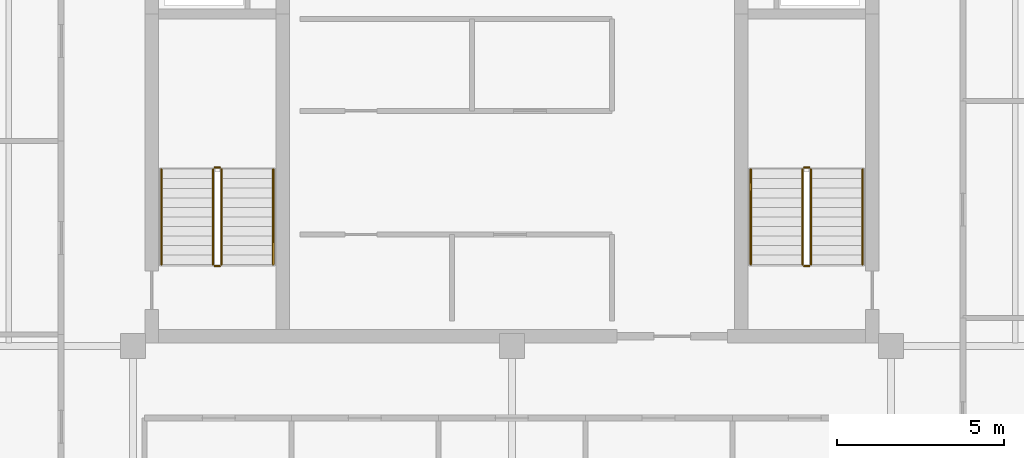
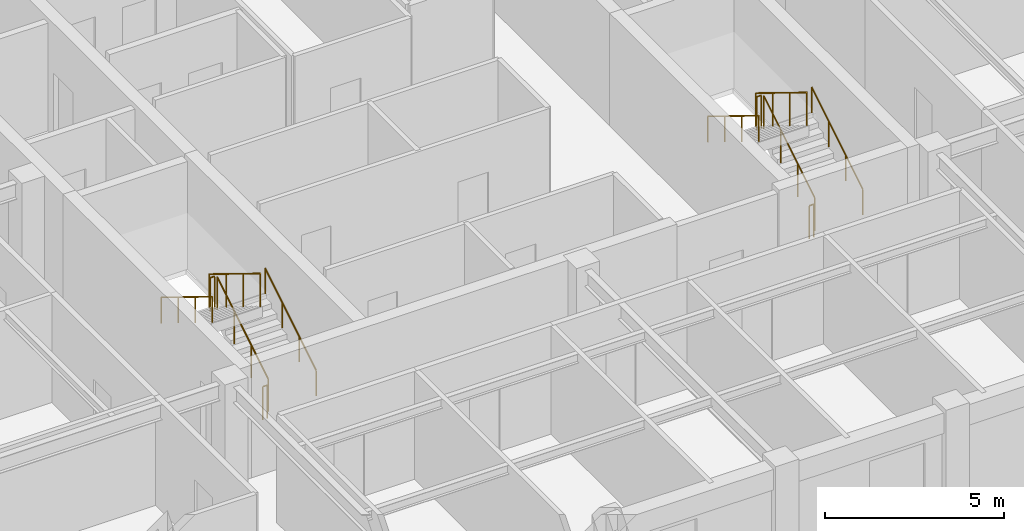
# One storey, part 7 of 7: 12 railings.
"""IFC4 building model written with IfcOpenShell, lengths in metres."""

from ifc_helpers import new_model, si_unit, direction, frame, origin, origin_2d, place, context, subcontext, project, spatial, circle, extrude, material, type_object, element, save


model = new_model("IFC4")

# Units and contexts
model_context = context("Model", 3, precision=1e-05, world=origin(), true_north=direction((0.0, 1.0)))
body_context = subcontext(model_context, "Body", "Model", "MODEL_VIEW")
ifc_project = project(units=[si_unit("LENGTHUNIT", "METRE"), si_unit("AREAUNIT", "SQUARE_METRE"), si_unit("VOLUMEUNIT", "CUBIC_METRE"), si_unit("PLANEANGLEUNIT", "RADIAN"), si_unit("MASSUNIT", "GRAM", prefix="KILO")], contexts=[model_context])

# Site, building, storey
site_placement = place(None, origin())
site = spatial("IfcSite", under=ifc_project, at=site_placement, CompositionType="ELEMENT")
building_placement = place(site_placement, origin())
building = spatial("IfcBuilding", under=site, at=building_placement, Name="Nhamokura Convention Tower", CompositionType="ELEMENT")
storey_placement = place(building_placement, frame((0.0, 0.0, 285.25)))
storey = spatial("IfcBuildingStorey", under=building, at=storey_placement, Name="L70", CompositionType="ELEMENT", Elevation=285.25)

# Railings
ifc_material_1 = material(Name="Anodised bronze stainless steel", Category="steel")
railing_type_1 = type_object("IfcRailingType", Name="StairWallHandrail_900", PredefinedType="HANDRAIL", material=ifc_material_1)
railing_1_placement = place(storey_placement, frame((24.85009765625, 23.10009765625, 0.175048828125)))
element("IfcRailing", 1, at=railing_1_placement, inside=storey, type_object=railing_type_1, Name="L70 ST-01 stair handrail 1", PredefinedType="HANDRAIL", context=body_context, shape_type="SweptSolid", body=[
    extrude(circle(Radius=0.02392578125, at=origin_2d()), frame((0.0, 0.0, 0.8759765625), z_axis=(0.0, 0.852159232446, 0.523282564737), x_axis=(-1.0, 0.0, 0.0)), (0.0, 0.0, 1.0), 3.34423828125),
    extrude(circle(Radius=0.02099609375, at=origin_2d()), origin(), (0.0, 0.0, 1.0), 0.851806640625),
    extrude(circle(Radius=0.02099609375, at=origin_2d()), frame((0.0, 0.949951171875, 0.583251953125)), (0.0, 0.0, 1.0), 0.851806640625),
    extrude(circle(Radius=0.02099609375, at=origin_2d()), frame((0.0, 1.89990234375, 1.166748046875)), (0.0, 0.0, 1.0), 0.851806640625),
    extrude(circle(Radius=0.02099609375, at=origin_2d()), frame((0.0, 2.849853515625, 1.75)), (0.0, 0.0, 1.0), 0.851806640625),
])
railing_2_placement = place(storey_placement, frame((21.5, 25.949951171875, 2.10009765625)))
element("IfcRailing", 2, at=railing_2_placement, inside=storey, type_object=railing_type_1, Name="L70 ST-01 stair handrail 2", PredefinedType="HANDRAIL", context=body_context, shape_type="SweptSolid", body=[
    extrude(circle(Radius=0.02392578125, at=origin_2d()), frame((0.0, 0.0, 0.8759765625), z_axis=(0.0, -0.852159232446, 0.523282564737), x_axis=(1.0, 0.0, 0.0)), (0.0, 0.0, 1.0), 3.34423828125),
    extrude(circle(Radius=0.02099609375, at=origin_2d()), origin(), (0.0, 0.0, 1.0), 0.851806640625),
    extrude(circle(Radius=0.02099609375, at=origin_2d()), frame((0.0, -0.949951171875, 0.583251953125)), (0.0, 0.0, 1.0), 0.851806640625),
    extrude(circle(Radius=0.02099609375, at=origin_2d()), frame((0.0, -1.89990234375, 1.166748046875)), (0.0, 0.0, 1.0), 0.851806640625),
    extrude(circle(Radius=0.02099609375, at=origin_2d()), frame((0.0, -2.849853515625, 1.75)), (0.0, 0.0, 1.0), 0.851806640625),
])
railing_3_placement = place(storey_placement, frame((42.5, 23.10009765625, 0.175048828125)))
element("IfcRailing", 3, at=railing_3_placement, inside=storey, type_object=railing_type_1, Name="L70 ST-02 stair handrail 1", PredefinedType="HANDRAIL", context=body_context, shape_type="SweptSolid", body=[
    extrude(circle(Radius=0.02392578125, at=origin_2d()), frame((0.0, 0.0, 0.8759765625), z_axis=(0.0, 0.852159232446, 0.523282564737), x_axis=(-1.0, 0.0, 0.0)), (0.0, 0.0, 1.0), 3.34423828125),
    extrude(circle(Radius=0.02099609375, at=origin_2d()), origin(), (0.0, 0.0, 1.0), 0.851806640625),
    extrude(circle(Radius=0.02099609375, at=origin_2d()), frame((0.0, 0.949951171875, 0.583251953125)), (0.0, 0.0, 1.0), 0.851806640625),
    extrude(circle(Radius=0.02099609375, at=origin_2d()), frame((0.0, 1.89990234375, 1.166748046875)), (0.0, 0.0, 1.0), 0.851806640625),
    extrude(circle(Radius=0.02099609375, at=origin_2d()), frame((0.0, 2.849853515625, 1.75)), (0.0, 0.0, 1.0), 0.851806640625),
])
railing_4_placement = place(storey_placement, frame((39.14990234375, 25.949951171875, 2.10009765625)))
element("IfcRailing", 4, at=railing_4_placement, inside=storey, type_object=railing_type_1, Name="L70 ST-02 stair handrail 2", PredefinedType="HANDRAIL", context=body_context, shape_type="SweptSolid", body=[
    extrude(circle(Radius=0.02392578125, at=origin_2d()), frame((0.0, 0.0, 0.8759765625), z_axis=(0.0, -0.852159232446, 0.523282564737), x_axis=(1.0, 0.0, 0.0)), (0.0, 0.0, 1.0), 3.34423828125),
    extrude(circle(Radius=0.02099609375, at=origin_2d()), origin(), (0.0, 0.0, 1.0), 0.851806640625),
    extrude(circle(Radius=0.02099609375, at=origin_2d()), frame((0.0, -0.949951171875, 0.583251953125)), (0.0, 0.0, 1.0), 0.851806640625),
    extrude(circle(Radius=0.02099609375, at=origin_2d()), frame((0.0, -1.89990234375, 1.166748046875)), (0.0, 0.0, 1.0), 0.851806640625),
    extrude(circle(Radius=0.02099609375, at=origin_2d()), frame((0.0, -2.849853515625, 1.75)), (0.0, 0.0, 1.0), 0.851806640625),
])
ifc_material_2 = material(Name="Painted tubular steel", Category="steel")
railing_type_2 = type_object("IfcRailingType", Name="StairWellGuardrail_1150", PredefinedType="GUARDRAIL", material=ifc_material_2)
railing_5_placement = place(storey_placement, frame((23.300048828125, 23.10009765625, 0.175048828125)))
element("IfcRailing", 5, at=railing_5_placement, inside=storey, type_object=railing_type_2, Name="L70 ST-01 stair guard 1", PredefinedType="GUARDRAIL", context=body_context, shape_type="SweptSolid", body=[
    extrude(circle(Radius=0.02392578125, at=origin_2d()), frame((0.0, 0.0, 1.1259765625), z_axis=(0.0, 0.852159232446, 0.523282564737), x_axis=(-1.0, 0.0, 0.0)), (0.0, 0.0, 1.0), 3.34423828125),
    extrude(circle(Radius=0.02099609375, at=origin_2d()), origin(), (0.0, 0.0, 1.0), 1.101806640625),
    extrude(circle(Radius=0.02099609375, at=origin_2d()), frame((0.0, 0.949951171875, 0.583251953125)), (0.0, 0.0, 1.0), 1.101806640625),
    extrude(circle(Radius=0.02099609375, at=origin_2d()), frame((0.0, 1.89990234375, 1.166748046875)), (0.0, 0.0, 1.0), 1.101806640625),
    extrude(circle(Radius=0.02099609375, at=origin_2d()), frame((0.0, 2.849853515625, 1.75)), (0.0, 0.0, 1.0), 1.101806640625),
])
railing_6_placement = place(storey_placement, frame((23.25, 26.0, 1.925048828125)))
element("IfcRailing", 6, at=railing_6_placement, inside=storey, type_object=railing_type_2, Name="L70 ST-01 stair guard 2", PredefinedType="GUARDRAIL", context=body_context, shape_type="SweptSolid", body=[
    extrude(circle(Radius=0.02392578125, at=origin_2d()), frame((0.0, 0.0, 1.1259765625), z_axis=(-1.0, 0.0, 0.0), x_axis=(0.0, -1.0, 0.0)), (0.0, 0.0, 1.0), 0.14990234375),
    extrude(circle(Radius=0.02099609375, at=origin_2d()), origin(), (0.0, 0.0, 1.0), 1.101806640625),
    extrude(circle(Radius=0.02099609375, at=origin_2d()), frame((-0.14990234375, 0.0, 0.0)), (0.0, 0.0, 1.0), 1.101806640625),
])
railing_7_placement = place(storey_placement, frame((23.050048828125, 25.949951171875, 2.10009765625)))
element("IfcRailing", 7, at=railing_7_placement, inside=storey, type_object=railing_type_2, Name="L70 ST-01 stair guard 3", PredefinedType="GUARDRAIL", context=body_context, shape_type="SweptSolid", body=[
    extrude(circle(Radius=0.02392578125, at=origin_2d()), frame((0.0, 0.0, 1.1259765625), z_axis=(0.0, -0.852159232446, 0.523282564737), x_axis=(1.0, 0.0, 0.0)), (0.0, 0.0, 1.0), 3.34423828125),
    extrude(circle(Radius=0.02099609375, at=origin_2d()), origin(), (0.0, 0.0, 1.0), 1.101806640625),
    extrude(circle(Radius=0.02099609375, at=origin_2d()), frame((0.0, -0.949951171875, 0.583251953125)), (0.0, 0.0, 1.0), 1.101806640625),
    extrude(circle(Radius=0.02099609375, at=origin_2d()), frame((0.0, -1.89990234375, 1.166748046875)), (0.0, 0.0, 1.0), 1.101806640625),
    extrude(circle(Radius=0.02099609375, at=origin_2d()), frame((0.0, -2.849853515625, 1.75)), (0.0, 0.0, 1.0), 1.101806640625),
])
railing_8_placement = place(storey_placement, frame((23.25, 23.050048828125, 0.0)))
element("IfcRailing", 8, at=railing_8_placement, inside=storey, type_object=railing_type_2, Name="L70 ST-01 stair guard 4", PredefinedType="GUARDRAIL", context=body_context, shape_type="SweptSolid", body=[
    extrude(circle(Radius=0.02392578125, at=origin_2d()), frame((0.0, 0.0, 1.1259765625), z_axis=(-1.0, 0.0, 0.0), x_axis=(0.0, -1.0, 0.0)), (0.0, 0.0, 1.0), 0.14990234375),
    extrude(circle(Radius=0.02099609375, at=origin_2d()), origin(), (0.0, 0.0, 1.0), 1.101806640625),
    extrude(circle(Radius=0.02099609375, at=origin_2d()), frame((-0.14990234375, 0.0, 0.0)), (0.0, 0.0, 1.0), 1.101806640625),
])
railing_9_placement = place(storey_placement, frame((40.949951171875, 23.10009765625, 0.175048828125)))
element("IfcRailing", 9, at=railing_9_placement, inside=storey, type_object=railing_type_2, Name="L70 ST-02 stair guard 1", PredefinedType="GUARDRAIL", context=body_context, shape_type="SweptSolid", body=[
    extrude(circle(Radius=0.02392578125, at=origin_2d()), frame((0.0, 0.0, 1.1259765625), z_axis=(0.0, 0.852159232446, 0.523282564737), x_axis=(-1.0, 0.0, 0.0)), (0.0, 0.0, 1.0), 3.34423828125),
    extrude(circle(Radius=0.02099609375, at=origin_2d()), origin(), (0.0, 0.0, 1.0), 1.101806640625),
    extrude(circle(Radius=0.02099609375, at=origin_2d()), frame((0.0, 0.949951171875, 0.583251953125)), (0.0, 0.0, 1.0), 1.101806640625),
    extrude(circle(Radius=0.02099609375, at=origin_2d()), frame((0.0, 1.89990234375, 1.166748046875)), (0.0, 0.0, 1.0), 1.101806640625),
    extrude(circle(Radius=0.02099609375, at=origin_2d()), frame((0.0, 2.849853515625, 1.75)), (0.0, 0.0, 1.0), 1.101806640625),
])
railing_10_placement = place(storey_placement, frame((40.89990234375, 26.0, 1.925048828125)))
element("IfcRailing", 10, at=railing_10_placement, inside=storey, type_object=railing_type_2, Name="L70 ST-02 stair guard 2", PredefinedType="GUARDRAIL", context=body_context, shape_type="SweptSolid", body=[
    extrude(circle(Radius=0.02392578125, at=origin_2d()), frame((0.0, 0.0, 1.1259765625), z_axis=(-1.0, 0.0, 0.0), x_axis=(0.0, -1.0, 0.0)), (0.0, 0.0, 1.0), 0.14990234375),
    extrude(circle(Radius=0.02099609375, at=origin_2d()), origin(), (0.0, 0.0, 1.0), 1.101806640625),
    extrude(circle(Radius=0.02099609375, at=origin_2d()), frame((-0.14990234375, 0.0, 0.0)), (0.0, 0.0, 1.0), 1.101806640625),
])
railing_11_placement = place(storey_placement, frame((40.699951171875, 25.949951171875, 2.10009765625)))
element("IfcRailing", 11, at=railing_11_placement, inside=storey, type_object=railing_type_2, Name="L70 ST-02 stair guard 3", PredefinedType="GUARDRAIL", context=body_context, shape_type="SweptSolid", body=[
    extrude(circle(Radius=0.02392578125, at=origin_2d()), frame((0.0, 0.0, 1.1259765625), z_axis=(0.0, -0.852159232446, 0.523282564737), x_axis=(1.0, 0.0, 0.0)), (0.0, 0.0, 1.0), 3.34423828125),
    extrude(circle(Radius=0.02099609375, at=origin_2d()), origin(), (0.0, 0.0, 1.0), 1.101806640625),
    extrude(circle(Radius=0.02099609375, at=origin_2d()), frame((0.0, -0.949951171875, 0.583251953125)), (0.0, 0.0, 1.0), 1.101806640625),
    extrude(circle(Radius=0.02099609375, at=origin_2d()), frame((0.0, -1.89990234375, 1.166748046875)), (0.0, 0.0, 1.0), 1.101806640625),
    extrude(circle(Radius=0.02099609375, at=origin_2d()), frame((0.0, -2.849853515625, 1.75)), (0.0, 0.0, 1.0), 1.101806640625),
])
railing_12_placement = place(storey_placement, frame((40.89990234375, 23.050048828125, 0.0)))
element("IfcRailing", 12, at=railing_12_placement, inside=storey, type_object=railing_type_2, Name="L70 ST-02 stair guard 4", PredefinedType="GUARDRAIL", context=body_context, shape_type="SweptSolid", body=[
    extrude(circle(Radius=0.02392578125, at=origin_2d()), frame((0.0, 0.0, 1.1259765625), z_axis=(-1.0, 0.0, 0.0), x_axis=(0.0, -1.0, 0.0)), (0.0, 0.0, 1.0), 0.14990234375),
    extrude(circle(Radius=0.02099609375, at=origin_2d()), origin(), (0.0, 0.0, 1.0), 1.101806640625),
    extrude(circle(Radius=0.02099609375, at=origin_2d()), frame((-0.14990234375, 0.0, 0.0)), (0.0, 0.0, 1.0), 1.101806640625),
])

save(model, "model.ifc")
